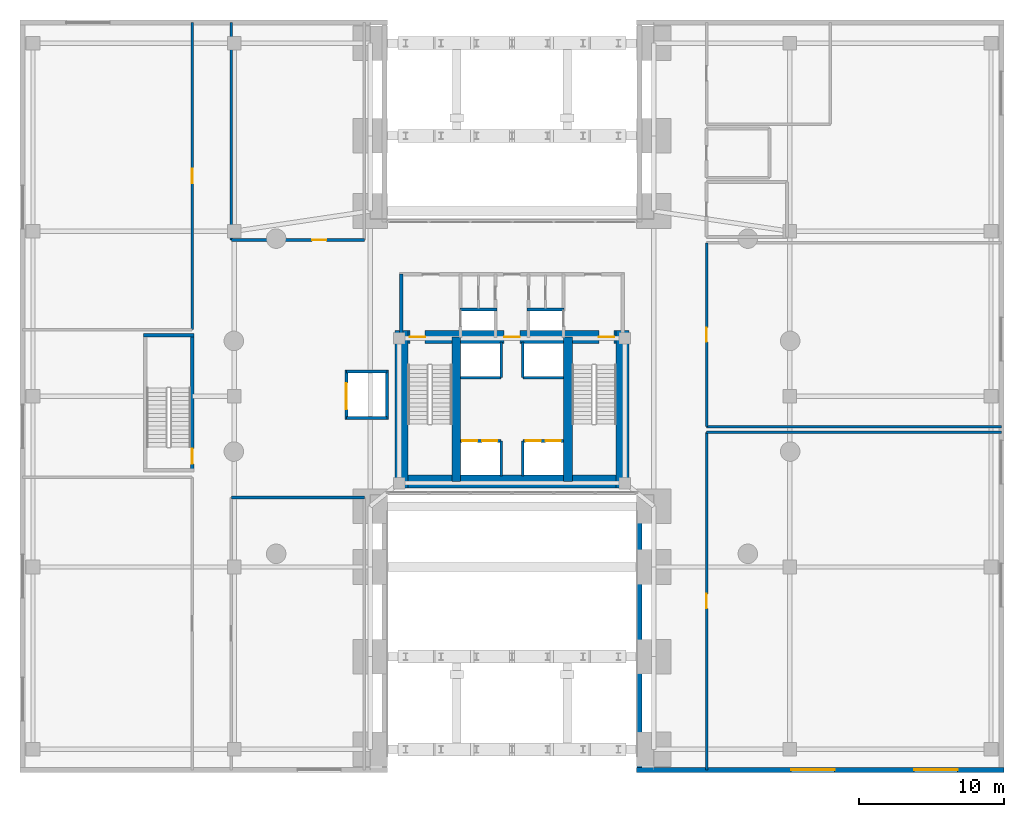
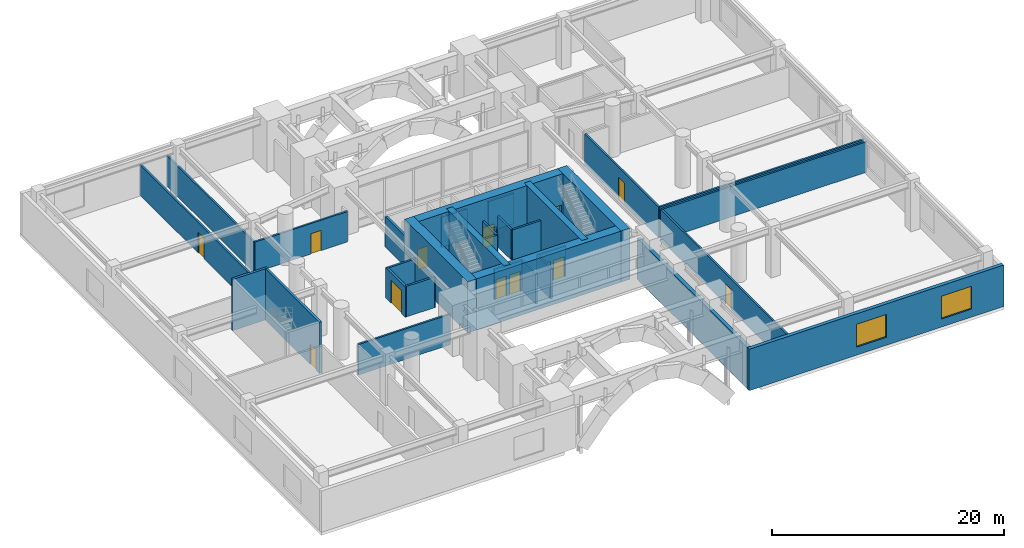
# One storey, part 14 of 18: 33 walls, 13 doors, 2 windows, 15 openings.
"""IFC4 building model written with IfcOpenShell, lengths in metres."""

import ifcopenshell
import ifcopenshell.guid

model = None  # the IFC model being written
_history = None  # IfcOwnerHistory: only IFC2X3 demands one
_inside = {}  # id of a spatial element -> (the spatial element, [elements in it])
_under = {}  # id of a project, library or spatial element -> (it, [spatial elements below it])
_declared = {}  # id of a project -> (the project, [libraries it declares])
_typed = {}  # id of a type object -> (the type object, [elements of that type])
_made_of = {}  # id of a material, layer set ... -> (it, [elements and type objects made of it])


def new_model(schema):
    """Start an empty IFC model of exactly this schema.

    Asked for "IFC4X3", IfcOpenShell would pick the latest addendum, in which some entities
    have other attributes; the version numbers below select the first issue.
    IFC2X3 requires an IfcOwnerHistory on every rooted entity: one is made here for all.
    """
    global model, _history
    if schema == "IFC4X3":
        model = ifcopenshell.file(schema_version=(4, 3, 0, 0))
    else:
        model = ifcopenshell.file(schema=schema)
    _inside.clear()
    _under.clear()
    _declared.clear()
    _typed.clear()
    _made_of.clear()
    _history = None
    if model.schema == "IFC2X3":
        org = make("IfcOrganization", Name="unknown")
        user = make(
            "IfcPersonAndOrganization",
            ThePerson=make("IfcPerson", FamilyName="unknown"),
            TheOrganization=org,
        )
        app = make(
            "IfcApplication",
            ApplicationDeveloper=org,
            Version="unknown",
            ApplicationFullName="unknown",
            ApplicationIdentifier="unknown",
        )
        _history = make(
            "IfcOwnerHistory",
            OwningUser=user,
            OwningApplication=app,
            ChangeAction="ADDED",
            CreationDate=0,
        )
    return model


def make(cls, **values):
    """One entity of the class cls with the attributes given. An attribute that is None is left unset."""
    return model.create_entity(
        cls, **{name: value for name, value in values.items() if value is not None}
    )


def rooted(cls, **values):
    """An entity with a GlobalId (a new one), such as an element, a storey or a relation."""
    return make(cls, GlobalId=ifcopenshell.guid.new(), OwnerHistory=_history, **values)


def si_unit(unit_type, name, prefix=None):
    """IfcSIUnit, for example si_unit("LENGTHUNIT", "METRE", prefix="MILLI")."""
    return make("IfcSIUnit", UnitType=unit_type, Prefix=prefix, Name=name)


def assignment(units):
    """IfcUnitAssignment: the units of a project."""
    return None if units is None else make("IfcUnitAssignment", Units=units)


def point(xyz):
    """IfcCartesianPoint."""
    return None if xyz is None else make("IfcCartesianPoint", Coordinates=xyz)


def direction(xyz):
    """IfcDirection."""
    return None if xyz is None else make("IfcDirection", DirectionRatios=xyz)


def frame(location, z_axis=None, x_axis=None):
    """IfcAxis2Placement3D, a coordinate frame: its origin and axes. An axis left out is left unset."""
    return make(
        "IfcAxis2Placement3D",
        Location=point(location),
        Axis=direction(z_axis),
        RefDirection=direction(x_axis),
    )


def frame_2d(location, x_axis=None):
    """IfcAxis2Placement2D, a coordinate frame in the plane: its origin and x axis."""
    return make(
        "IfcAxis2Placement2D", Location=point(location), RefDirection=direction(x_axis)
    )


def origin():
    """The frame at (0, 0, 0) with its axes left unset."""
    return frame((0.0, 0.0, 0.0))


def place(relative_to, where):
    """IfcLocalPlacement: puts the frame where relative to a parent placement (None: the world)."""
    return make(
        "IfcLocalPlacement", PlacementRelTo=relative_to, RelativePlacement=where
    )


def context(
    kind, dimensions, precision=None, world=None, true_north=None, identifier=None
):
    """IfcGeometricRepresentationContext, for example the 3D "Model" context."""
    return make(
        "IfcGeometricRepresentationContext",
        ContextIdentifier=identifier,
        ContextType=kind,
        CoordinateSpaceDimension=dimensions,
        Precision=precision,
        WorldCoordinateSystem=world,
        TrueNorth=true_north,
    )


def subcontext(parent, identifier, kind, view, scale=None):
    """IfcGeometricRepresentationSubContext, for example "Body" below "Model"."""
    return make(
        "IfcGeometricRepresentationSubContext",
        ContextIdentifier=identifier,
        ContextType=kind,
        ParentContext=parent,
        TargetScale=scale,
        TargetView=view,
    )


def project(units=None, contexts=None):
    """IfcProject with its units and contexts."""
    return rooted(
        "IfcProject",
        Name="project",
        RepresentationContexts=contexts,
        UnitsInContext=assignment(units),
    )


def spatial(cls, under=None, at=None, **own):
    """A site, building, storey or space (cls), placed at a placement, below another one or the project."""
    s = rooted(cls, ObjectPlacement=at, **own)
    if under is not None:
        _under.setdefault(under.id(), (under, []))[1].append(s)
    return s


def profile(cls, at=None, kind="AREA", **sizes):
    """A parametric profile (cls). Its sizes go by their IFC names, for example OverallWidth=200.0."""
    return make(cls, ProfileType=kind, Position=at, **sizes)


def rectangle(**sizes):
    """IfcRectangleProfileDef."""
    return profile("IfcRectangleProfileDef", **sizes)


def extrude(swept, where, along, depth):
    """IfcExtrudedAreaSolid: the profile swept, set in the frame where, extruded along a direction by depth."""
    return make(
        "IfcExtrudedAreaSolid",
        SweptArea=swept,
        Position=where,
        ExtrudedDirection=direction(along),
        Depth=depth,
    )


def shape(context_of_items, identifier, shape_type, items):
    """IfcShapeRepresentation: the items that make up one representation, for example the "Body"."""
    return make(
        "IfcShapeRepresentation",
        ContextOfItems=context_of_items,
        RepresentationIdentifier=identifier,
        RepresentationType=shape_type,
        Items=items,
    )


def material(Name=None, Category=None):
    """IfcMaterial."""
    return make("IfcMaterial", Name=Name, Category=Category)


def layer(
    of_material, thickness, ventilated=None, Name=None, Category=None, Priority=None
):
    """IfcMaterialLayer: one layer of a wall or slab, of a material (None: an air gap)."""
    return make(
        "IfcMaterialLayer",
        Material=of_material,
        LayerThickness=thickness,
        IsVentilated=ventilated,
        Name=Name,
        Category=Category,
        Priority=Priority,
    )


def layer_set(layers, Name=None):
    """IfcMaterialLayerSet."""
    return make("IfcMaterialLayerSet", MaterialLayers=layers, LayerSetName=Name)


def made_of(thing, what):
    """Note that an element or type object is made of a material, layer set ...; save() writes the relation."""
    if what is not None:
        _made_of.setdefault(what.id(), (what, []))[1].append(thing)
    return thing


def type_object(cls, material=None, **own):
    """A type object (cls), such as IfcWallType, which elements share."""
    return made_of(rooted(cls, **own), material)


def element(
    cls,
    number,
    at=None,
    inside=None,
    cuts=None,
    type_object=None,
    material=None,
    context=None,
    identifier="Body",
    shape_type=None,
    held_by="IfcProductDefinitionShape",
    body=None,
    shapes=None,
    **own,
):
    """One element of the class cls, such as IfcWall. Its Tag is "e" and its number.

    at: its placement. inside: the storey or other place that contains it. cuts: it is an
    opening in that element (IfcRelVoidsElement). A single representation is given by context,
    identifier, shape_type and body (its items); several are given by shapes. held_by: the class
    of the entity that holds the representations. save() writes the other relations.
    """
    e = rooted(cls, Tag="e%d" % number, ObjectPlacement=at, **own)
    if body is not None:
        shapes = [shape(context, identifier, shape_type, body)]
    if shapes is not None:
        e.Representation = make(held_by, Representations=shapes)
    if inside is not None:
        _inside.setdefault(inside.id(), (inside, []))[1].append(e)
    if cuts is not None:
        rooted(
            "IfcRelVoidsElement", RelatingBuildingElement=cuts, RelatedOpeningElement=e
        )
    if type_object is not None:
        _typed.setdefault(type_object.id(), (type_object, []))[1].append(e)
    return made_of(e, material)


def fill(opening, filler):
    """IfcRelFillsElement: the door or window that sits in an opening."""
    return rooted(
        "IfcRelFillsElement",
        RelatingOpeningElement=opening,
        RelatedBuildingElement=filler,
    )


def aggregate(whole, parts):
    """IfcRelAggregates: a whole, such as a stair, and the parts it consists of."""
    return rooted("IfcRelAggregates", RelatingObject=whole, RelatedObjects=parts)


def save(model, path):
    """Write the relations noted so far, then the file.

    IfcRelAggregates (storeys below a building ...), IfcRelContainedInSpatialStructure (elements
    in a storey), IfcRelDefinesByType, IfcRelAssociatesMaterial and IfcRelDeclares: one each for
    every whole, place, type object, material and project.
    """
    for whole, parts in _under.values():
        aggregate(whole, parts)
    for where, things in _inside.values():
        rooted(
            "IfcRelContainedInSpatialStructure",
            RelatedElements=things,
            RelatingStructure=where,
        )
    for kind, things in _typed.values():
        rooted("IfcRelDefinesByType", RelatedObjects=things, RelatingType=kind)
    for what, things in _made_of.values():
        rooted("IfcRelAssociatesMaterial", RelatedObjects=things, RelatingMaterial=what)
    for by, libraries in _declared.values():
        rooted("IfcRelDeclares", RelatingContext=by, RelatedDefinitions=libraries)
    model.write(path)


model = new_model("IFC4")

# Units and contexts
model_context = context("Model", 3, precision=1e-05, world=origin(), true_north=direction((0.0, 1.0)))
body_context = subcontext(model_context, "Body", "Model", "MODEL_VIEW")
ifc_project = project(units=[si_unit("LENGTHUNIT", "METRE"), si_unit("AREAUNIT", "SQUARE_METRE"), si_unit("VOLUMEUNIT", "CUBIC_METRE"), si_unit("PLANEANGLEUNIT", "RADIAN"), si_unit("MASSUNIT", "GRAM", prefix="KILO"), si_unit("THERMODYNAMICTEMPERATUREUNIT", "KELVIN"), si_unit("POWERUNIT", "WATT")], contexts=[model_context])

# Site, building, storey
site_placement = place(None, origin())
site = spatial("IfcSite", under=ifc_project, at=site_placement, CompositionType="ELEMENT")
building_placement = place(site_placement, origin())
building = spatial("IfcBuilding", under=site, at=building_placement, Name="Ocrelia Relay Tower", CompositionType="ELEMENT")
storey_placement = place(building_placement, frame((0.0, 0.0, 10.199951171875)))
storey = spatial("IfcBuildingStorey", under=building, at=storey_placement, Name="L02", CompositionType="ELEMENT", Elevation=10.199951171875)

# Wall
ifc_material_1 = material(Name="Concrete C70/85", Category="concrete")
ifc_layer_1 = layer(ifc_material_1, 0.89990234375, Name="Concrete C70/85")
ifc_layer_set_1 = layer_set([ifc_layer_1], Name="Concrete C70/85")
wall_type_1 = type_object("IfcWallType", Name="CW-CORE-900", PredefinedType="SHEAR", material=ifc_layer_set_1)
wall_1_placement = place(storey_placement, frame((25.922119140625, 20.112060546875, 0.0), z_axis=(0.0, 0.0, 1.0), x_axis=(1.0, 0.0, 0.0)))
element("IfcWall", 1, at=wall_1_placement, inside=storey, type_object=wall_type_1, Name="L02 Core Shear Wall S", PredefinedType="SHEAR", context=body_context, shape_type="SweptSolid", body=[
    extrude(rectangle(XDim=16.165771484375, YDim=0.89990234375, at=frame_2d((8.0830078125, 0.0))), origin(), (0.0, 0.0, 1.0), 5.400146484375),
])

# Wall, openings, doors
wall_2_placement = place(storey_placement, frame((25.922119140625, 30.087890625, 0.0), z_axis=(0.0, 0.0, 1.0), x_axis=(1.0, 0.0, 0.0)))
wall_2 = element("IfcWall", 2, at=wall_2_placement, inside=storey, type_object=wall_type_1, Name="L02 Core Shear Wall N", PredefinedType="SHEAR", context=body_context, shape_type="SweptSolid", body=[
    extrude(rectangle(XDim=16.165771484375, YDim=0.89990234375, at=frame_2d((8.0830078125, 0.0))), origin(), (0.0, 0.0, 1.0), 5.400146484375),
])
opening_1_placement = place(wall_2_placement, frame((1.028076171875, 0.0, 0.0)))
opening_1 = element("IfcOpeningElement", 3, at=opening_1_placement, cuts=wall_2, Name="Opening D-FD90", PredefinedType="OPENING", context=body_context, shape_type="SweptSolid", body=[
    extrude(rectangle(XDim=1.050048828125, YDim=2.14990234375, at=frame_2d((0.52490234375, 1.074951171875))), frame((0.0, 0.4599609375, 0.0), z_axis=(0.0, -1.0, 0.0), x_axis=(1.0, 0.0, 0.0)), (0.0, 0.0, 1.0), 0.919921875),
])
opening_2_placement = place(wall_2_placement, frame((14.077880859375, 0.0, 0.0)))
opening_2 = element("IfcOpeningElement", 4, at=opening_2_placement, cuts=wall_2, Name="Opening D-FD90", PredefinedType="OPENING", context=body_context, shape_type="SweptSolid", body=[
    extrude(rectangle(XDim=1.050048828125, YDim=2.14990234375, at=frame_2d((0.52490234375, 1.074951171875))), frame((0.0, 0.4599609375, 0.0), z_axis=(0.0, -1.0, 0.0), x_axis=(1.0, 0.0, 0.0)), (0.0, 0.0, 1.0), 0.919921875),
])
opening_3_placement = place(wall_2_placement, frame((7.528076171875, 0.0, 0.0)))
opening_3 = element("IfcOpeningElement", 5, at=opening_3_placement, cuts=wall_2, Name="Opening D-FD60", PredefinedType="OPENING", context=body_context, shape_type="SweptSolid", body=[
    extrude(rectangle(XDim=1.10009765625, YDim=2.14990234375, at=frame_2d((0.550048828125, 1.074951171875))), frame((0.0, 0.4599609375, 0.0), z_axis=(0.0, -1.0, 0.0), x_axis=(1.0, 0.0, 0.0)), (0.0, 0.0, 1.0), 0.919921875),
])
ifc_material_2 = material(Name="Timber-core 60-min acoustic fire door", Category="wood")
door_type_1 = type_object("IfcDoorType", Name="DR-LOBBY-FD60-1100", OperationType="NOTDEFINED", PredefinedType="DOOR", material=ifc_material_2)
door_1_placement = place(opening_3_placement, origin())
door_1 = element("IfcDoor", 6, at=door_1_placement, inside=storey, type_object=door_type_1, Name="L02 Core Lift Lobby North Fire Door", OperationType="SINGLE_SWING_RIGHT", OverallHeight=2.14990234375, OverallWidth=1.10009765625, PredefinedType="DOOR", context=body_context, shape_type="SweptSolid", body=[
    extrude(rectangle(XDim=1.10009765625, YDim=2.14990234375, at=frame_2d((0.550048828125, 1.074951171875))), frame((0.0, 0.02490234375, 0.0), z_axis=(0.0, -1.0, 0.0), x_axis=(1.0, 0.0, 0.0)), (0.0, 0.0, 1.0), 0.050048828125),
])
fill(opening_3, door_1)
ifc_material_3 = material(Name="Steel S355 90-min fire door", Category="steel")
door_type_2 = type_object("IfcDoorType", Name="DR-STAIR-FD90-1050", OperationType="NOTDEFINED", PredefinedType="DOOR", material=ifc_material_3)
door_2_placement = place(opening_1_placement, origin())
door_2 = element("IfcDoor", 7, at=door_2_placement, inside=storey, type_object=door_type_2, Name="L02 Stair ST1 Fire Door", OperationType="SINGLE_SWING_RIGHT", OverallHeight=2.14990234375, OverallWidth=1.050048828125, PredefinedType="DOOR", context=body_context, shape_type="SweptSolid", body=[
    extrude(rectangle(XDim=1.050048828125, YDim=2.14990234375, at=frame_2d((0.52490234375, 1.074951171875))), frame((0.0, 0.02490234375, 0.0), z_axis=(0.0, -1.0, 0.0), x_axis=(1.0, 0.0, 0.0)), (0.0, 0.0, 1.0), 0.050048828125),
])
fill(opening_1, door_2)
door_3_placement = place(opening_2_placement, origin())
door_3 = element("IfcDoor", 8, at=door_3_placement, inside=storey, type_object=door_type_2, Name="L02 Stair ST2 Fire Door", OperationType="SINGLE_SWING_LEFT", OverallHeight=2.14990234375, OverallWidth=1.050048828125, PredefinedType="DOOR", context=body_context, shape_type="SweptSolid", body=[
    extrude(rectangle(XDim=1.050048828125, YDim=2.14990234375, at=frame_2d((0.52490234375, 1.074951171875))), frame((0.0, 0.02490234375, 0.0), z_axis=(0.0, -1.0, 0.0), x_axis=(1.0, 0.0, 0.0)), (0.0, 0.0, 1.0), 0.050048828125),
])
fill(opening_2, door_3)

# Walls
for number, where, z_axis, x_axis, name in (
    (9, (26.3720703125, 19.662109375, 0.0), (0.0, 0.0, 1.0), (0.0, 1.0, 0.0), "L02 Core Shear Wall W"),
    (10, (41.637939453125, 19.662109375, 0.0), (0.0, 0.0, 1.0), (0.0, 1.0, 0.0), "L02 Core Shear Wall E"),
):
    element("IfcWall", number, at=place(storey_placement, frame(where, z_axis=z_axis, x_axis=x_axis)), inside=storey, type_object=wall_type_1, Name=name, PredefinedType="SHEAR", context=body_context, shape_type="SweptSolid", body=[
        extrude(rectangle(XDim=10.8759765625, YDim=0.89990234375, at=frame_2d((5.43798828125, 0.0))), origin(), (0.0, 0.0, 1.0), 5.400146484375),
    ])
for number, where, z_axis, x_axis, name in (
    (11, (30.137939453125, 20.112060546875, 0.0), (0.0, 0.0, 1.0), (0.0, 1.0, 0.0), "L02 Core Shear Wall SPW"),
    (12, (37.8720703125, 20.112060546875, 0.0), (0.0, 0.0, 1.0), (0.0, 1.0, 0.0), "L02 Core Shear Wall SPE"),
):
    element("IfcWall", number, at=place(storey_placement, frame(where, z_axis=z_axis, x_axis=x_axis)), inside=storey, type_object=wall_type_1, Name=name, PredefinedType="SHEAR", context=body_context, shape_type="SweptSolid", body=[
        extrude(rectangle(XDim=9.975830078125, YDim=0.60009765625, at=frame_2d((4.98779296875, 0.0))), origin(), (0.0, 0.0, 1.0), 5.400146484375),
    ])
ifc_material_4 = material(Name="Concrete C50/60", Category="concrete")
ifc_layer_2 = layer(ifc_material_4, 0.239990234375, Name="Concrete C50/60")
ifc_layer_set_2 = layer_set([ifc_layer_2], Name="Concrete C50/60")
wall_type_2 = type_object("IfcWallType", Name="CW-STAIR-240", PredefinedType="SHEAR", material=ifc_layer_set_2)
wall_3_placement = place(storey_placement, frame((8.531982421875, 30.2080078125, 0.0), z_axis=(0.0, 0.0, 1.0), x_axis=(1.0, 0.0, 0.0)))
element("IfcWall", 13, at=wall_3_placement, inside=storey, type_object=wall_type_2, Name="L02 Stair ST3 Structural Shaft N Wall", PredefinedType="SHEAR", context=body_context, shape_type="SweptSolid", body=[
    extrude(rectangle(XDim=3.49609375, YDim=0.239990234375, at=frame_2d((1.748046875, 0.0))), origin(), (0.0, 0.0, 1.0), 5.400146484375),
])

# Wall, opening, door
wall_4_placement = place(storey_placement, frame((11.907958984375, 20.77197265625, 0.0), z_axis=(0.0, 0.0, 1.0), x_axis=(0.0, 1.0, 0.0)))
wall_4 = element("IfcWall", 14, at=wall_4_placement, inside=storey, type_object=wall_type_2, Name="L02 Stair ST3 Structural Shaft E Wall", PredefinedType="SHEAR", context=body_context, shape_type="SweptSolid", body=[
    extrude(rectangle(XDim=9.555908203125, YDim=0.239990234375, at=frame_2d((4.77783203125, 0.0))), origin(), (0.0, 0.0, 1.0), 5.400146484375),
])
opening_4_placement = place(wall_4_placement, frame((0.550048828125, 0.0, 0.0)))
opening_4 = element("IfcOpeningElement", 15, at=opening_4_placement, cuts=wall_4, Name="Opening D-FD90", PredefinedType="OPENING", context=body_context, shape_type="SweptSolid", body=[
    extrude(rectangle(XDim=1.050048828125, YDim=2.14990234375, at=frame_2d((0.52490234375, 1.074951171875))), frame((0.0, 0.1298828125, 0.0), z_axis=(0.0, -1.0, 0.0), x_axis=(1.0, 0.0, 0.0)), (0.0, 0.0, 1.0), 0.260009765625),
])
door_4_placement = place(opening_4_placement, origin())
door_4 = element("IfcDoor", 16, at=door_4_placement, inside=storey, type_object=door_type_2, Name="L02 Stair ST3 Fire Door", OperationType="SINGLE_SWING_RIGHT", OverallHeight=2.14990234375, OverallWidth=1.050048828125, PredefinedType="DOOR", context=body_context, shape_type="SweptSolid", body=[
    extrude(rectangle(XDim=1.050048828125, YDim=2.14990234375, at=frame_2d((0.52490234375, 1.074951171875))), frame((0.0, 0.02490234375, 0.0), z_axis=(0.0, -1.0, 0.0), x_axis=(1.0, 0.0, 0.0)), (0.0, 0.0, 1.0), 0.050048828125),
])
fill(opening_4, door_4)

ifc_material_5 = material(Name="Gypsum Fireboard Partition EI60", Category="gypsum")
ifc_layer_3 = layer(ifc_material_5, 0.179931640625, Name="Gypsum Fireboard Partition EI60")
ifc_layer_set_3 = layer_set([ifc_layer_3], Name="Gypsum Fireboard Partition EI60")
wall_type_3 = type_object("IfcWallType", Name="W-CORR-EI60-180", PredefinedType="PARTITIONING", material=ifc_layer_set_3)
wall_5_placement = place(storey_placement, frame((11.89990234375, 30.60009765625, 0.0), z_axis=(0.0, 0.0, 1.0), x_axis=(0.0, 1.0, 0.0)))
wall_5 = element("IfcWall", 17, at=wall_5_placement, inside=storey, type_object=wall_type_3, Name="L02 Hardware Staging Laboratory E Partition", PredefinedType="PARTITIONING", context=body_context, shape_type="SweptSolid", body=[
    extrude(rectangle(XDim=21.219970703125, YDim=0.179931640625, at=frame_2d((10.60986328125, 0.0))), origin(), (0.0, 0.0, 1.0), 3.2099609375),
])
opening_5_placement = place(wall_5_placement, frame((10.110107421875, 0.0, 0.0)))
opening_5 = element("IfcOpeningElement", 18, at=opening_5_placement, cuts=wall_5, Name="Opening D-RM100", PredefinedType="OPENING", context=body_context, shape_type="SweptSolid", body=[
    extrude(rectangle(XDim=1.0, YDim=2.14990234375, at=frame_2d((0.5, 1.074951171875))), frame((0.0, 0.10009765625, 0.0), z_axis=(0.0, -1.0, 0.0), x_axis=(1.0, 0.0, 0.0)), (0.0, 0.0, 1.0), 0.199951171875),
])
ifc_material_6 = material(Name="Acoustic oak veneer fire door", Category="wood")
door_type_3 = type_object("IfcDoorType", Name="DR-ROOM-FD60-1000", OperationType="NOTDEFINED", PredefinedType="DOOR", material=ifc_material_6)
door_5_placement = place(opening_5_placement, origin())
door_5 = element("IfcDoor", 19, at=door_5_placement, inside=storey, type_object=door_type_3, Name="L02 Hardware Staging Laboratory Door", OperationType="SINGLE_SWING_RIGHT", OverallHeight=2.14990234375, OverallWidth=1.0, PredefinedType="DOOR", context=body_context, shape_type="SweptSolid", body=[
    extrude(rectangle(XDim=1.0, YDim=2.14990234375, at=frame_2d((0.5, 1.074951171875))), frame((0.0, 0.02490234375, 0.0), z_axis=(0.0, -1.0, 0.0), x_axis=(1.0, 0.0, 0.0)), (0.0, 0.0, 1.0), 0.050048828125),
])
fill(opening_5, door_5)

# Wall
wall_6_placement = place(storey_placement, frame((23.800048828125, 19.0, 0.0), z_axis=(0.0, 0.0, 1.0), x_axis=(-1.0, 0.0, 0.0)))
element("IfcWall", 20, at=wall_6_placement, inside=storey, type_object=wall_type_3, Name="L02 West Carrier Operations Office N Partition", PredefinedType="PARTITIONING", context=body_context, shape_type="SweptSolid", body=[
    extrude(rectangle(XDim=9.199951171875, YDim=0.179931640625, at=frame_2d((4.60009765625, 0.0))), origin(), (0.0, 0.0, 1.0), 3.2099609375),
])

# Wall, opening, door
wall_7_placement = place(storey_placement, frame((14.60009765625, 36.800048828125, 0.0), z_axis=(0.0, 0.0, 1.0), x_axis=(1.0, 0.0, 0.0)))
wall_7 = element("IfcWall", 21, at=wall_7_placement, inside=storey, type_object=wall_type_3, Name="L02 North Telemetry Office S Partition", PredefinedType="PARTITIONING", context=body_context, shape_type="SweptSolid", body=[
    extrude(rectangle(XDim=9.199951171875, YDim=0.179931640625, at=frame_2d((4.60009765625, 0.0))), origin(), (0.0, 0.0, 1.0), 3.2099609375),
])
opening_6_placement = place(wall_7_placement, frame((5.580078125, 0.0, 0.0)))
opening_6 = element("IfcOpeningElement", 22, at=opening_6_placement, cuts=wall_7, Name="Opening D-RM100", PredefinedType="OPENING", context=body_context, shape_type="SweptSolid", body=[
    extrude(rectangle(XDim=1.0, YDim=2.14990234375, at=frame_2d((0.5, 1.074951171875))), frame((0.0, 0.10009765625, 0.0), z_axis=(0.0, -1.0, 0.0), x_axis=(1.0, 0.0, 0.0)), (0.0, 0.0, 1.0), 0.199951171875),
])
door_6_placement = place(opening_6_placement, origin())
door_6 = element("IfcDoor", 23, at=door_6_placement, inside=storey, type_object=door_type_3, Name="L02 North Telemetry Office Door", OperationType="SINGLE_SWING_RIGHT", OverallHeight=2.14990234375, OverallWidth=1.0, PredefinedType="DOOR", context=body_context, shape_type="SweptSolid", body=[
    extrude(rectangle(XDim=1.0, YDim=2.14990234375, at=frame_2d((0.5, 1.074951171875))), frame((0.0, 0.02490234375, 0.0), z_axis=(0.0, -1.0, 0.0), x_axis=(1.0, 0.0, 0.0)), (0.0, 0.0, 1.0), 0.050048828125),
])
fill(opening_6, door_6)

# Wall
wall_8_placement = place(storey_placement, frame((14.60009765625, 51.820068359375, 0.0), z_axis=(0.0, 0.0, 1.0), x_axis=(0.0, -1.0, 0.0)))
element("IfcWall", 24, at=wall_8_placement, inside=storey, type_object=wall_type_3, Name="L02 North Telemetry Office W Partition", PredefinedType="PARTITIONING", context=body_context, shape_type="SweptSolid", body=[
    extrude(rectangle(XDim=15.02001953125, YDim=0.179931640625, at=frame_2d((7.510009765625, 0.0))), origin(), (0.0, 0.0, 1.0), 3.2099609375),
])

# Wall, opening, door
wall_9_placement = place(storey_placement, frame((47.449951171875, 23.5, 0.0), z_axis=(0.0, 0.0, 1.0), x_axis=(0.0, -1.0, 0.0)))
wall_9 = element("IfcWall", 25, at=wall_9_placement, inside=storey, type_object=wall_type_3, Name="L02 Global Peering Control Office W Partition", PredefinedType="PARTITIONING", context=body_context, shape_type="SweptSolid", body=[
    extrude(rectangle(XDim=23.320068359375, YDim=0.179931640625, at=frame_2d((11.66015625, 0.0))), origin(), (0.0, 0.0, 1.0), 3.2099609375),
])
opening_7_placement = place(wall_9_placement, frame((11.159912109375, 0.0, 0.0)))
opening_7 = element("IfcOpeningElement", 26, at=opening_7_placement, cuts=wall_9, Name="Opening D-RM100", PredefinedType="OPENING", context=body_context, shape_type="SweptSolid", body=[
    extrude(rectangle(XDim=1.0, YDim=2.14990234375, at=frame_2d((0.5, 1.074951171875))), frame((0.0, 0.10009765625, 0.0), z_axis=(0.0, -1.0, 0.0), x_axis=(1.0, 0.0, 0.0)), (0.0, 0.0, 1.0), 0.199951171875),
])
door_7_placement = place(opening_7_placement, origin())
door_7 = element("IfcDoor", 27, at=door_7_placement, inside=storey, type_object=door_type_3, Name="L02 Global Peering Control Office Door", OperationType="SINGLE_SWING_LEFT", OverallHeight=2.14990234375, OverallWidth=1.0, PredefinedType="DOOR", context=body_context, shape_type="SweptSolid", body=[
    extrude(rectangle(XDim=1.0, YDim=2.14990234375, at=frame_2d((0.5, 1.074951171875))), frame((0.0, 0.02490234375, 0.0), z_axis=(0.0, -1.0, 0.0), x_axis=(1.0, 0.0, 0.0)), (0.0, 0.0, 1.0), 0.050048828125),
])
fill(opening_7, door_7)

# Wall
wall_10_placement = place(storey_placement, frame((67.820068359375, 23.5, 0.0), z_axis=(0.0, 0.0, 1.0), x_axis=(-1.0, 0.0, 0.0)))
element("IfcWall", 28, at=wall_10_placement, inside=storey, type_object=wall_type_3, Name="L02 Global Peering Control Office N Partition", PredefinedType="PARTITIONING", context=body_context, shape_type="SweptSolid", body=[
    extrude(rectangle(XDim=20.3701171875, YDim=0.179931640625, at=frame_2d((10.18505859375, 0.0))), origin(), (0.0, 0.0, 1.0), 3.2099609375),
])

# Wall, opening, door
wall_11_placement = place(storey_placement, frame((47.449951171875, 36.60009765625, 0.0), z_axis=(0.0, 0.0, 1.0), x_axis=(0.0, -1.0, 0.0)))
wall_11 = element("IfcWall", 29, at=wall_11_placement, inside=storey, type_object=wall_type_3, Name="L02 Executive Briefing Room W Partition", PredefinedType="PARTITIONING", context=body_context, shape_type="SweptSolid", body=[
    extrude(rectangle(XDim=12.7001953125, YDim=0.179931640625, at=frame_2d((6.35009765625, 0.0))), origin(), (0.0, 0.0, 1.0), 3.2099609375),
])
opening_8_placement = place(wall_11_placement, frame((5.85009765625, 0.0, 0.0)))
opening_8 = element("IfcOpeningElement", 30, at=opening_8_placement, cuts=wall_11, Name="Opening D-RM100", PredefinedType="OPENING", context=body_context, shape_type="SweptSolid", body=[
    extrude(rectangle(XDim=1.0, YDim=2.14990234375, at=frame_2d((0.5, 1.074951171875))), frame((0.0, 0.10009765625, 0.0), z_axis=(0.0, -1.0, 0.0), x_axis=(1.0, 0.0, 0.0)), (0.0, 0.0, 1.0), 0.199951171875),
])
door_8_placement = place(opening_8_placement, origin())
door_8 = element("IfcDoor", 31, at=door_8_placement, inside=storey, type_object=door_type_3, Name="L02 Executive Briefing Room Door", OperationType="SINGLE_SWING_RIGHT", OverallHeight=2.14990234375, OverallWidth=1.0, PredefinedType="DOOR", context=body_context, shape_type="SweptSolid", body=[
    extrude(rectangle(XDim=1.0, YDim=2.14990234375, at=frame_2d((0.5, 1.074951171875))), frame((0.0, 0.02490234375, 0.0), z_axis=(0.0, -1.0, 0.0), x_axis=(1.0, 0.0, 0.0)), (0.0, 0.0, 1.0), 0.050048828125),
])
fill(opening_8, door_8)

# Wall
wall_12_placement = place(storey_placement, frame((47.449951171875, 23.89990234375, 0.0), z_axis=(0.0, 0.0, 1.0), x_axis=(1.0, 0.0, 0.0)))
element("IfcWall", 32, at=wall_12_placement, inside=storey, type_object=wall_type_3, Name="L02 Executive Briefing Room S Partition", PredefinedType="PARTITIONING", context=body_context, shape_type="SweptSolid", body=[
    extrude(rectangle(XDim=20.3701171875, YDim=0.179931640625, at=frame_2d((10.18505859375, 0.0))), origin(), (0.0, 0.0, 1.0), 3.2099609375),
])

# Wall, openings, windows
ifc_material_7 = material(Name="Precast concrete C40/50 with oxide terracotta", Category="masonry")
ifc_layer_4 = layer(ifc_material_7, 0.35009765625, Name="Precast concrete C40/50 with oxide terracotta")
ifc_layer_set_4 = layer_set([ifc_layer_4], Name="Precast concrete C40/50 with oxide terracotta")
wall_type_4 = type_object("IfcWallType", Name="W-EXT-POD-350", PredefinedType="SOLIDWALL", material=ifc_layer_set_4)
wall_13_placement = place(storey_placement, frame((67.989990234375, 0.179931640625, 0.0), z_axis=(0.0, 0.0, 1.0), x_axis=(-1.0, 0.0, 0.0)))
wall_13 = element("IfcWall", 33, at=wall_13_placement, inside=storey, type_object=wall_type_4, Name="L02 Oxide Terracotta Podium Wall ES", PredefinedType="SOLIDWALL", context=body_context, shape_type="SweptSolid", body=[
    extrude(rectangle(XDim=25.369873046875, YDim=0.35009765625, at=frame_2d((12.68505859375, 0.0))), origin(), (0.0, 0.0, 1.0), 4.360107421875),
])
opening_9_placement = place(wall_13_placement, frame((3.199951171875, 0.0, 0.85009765625)))
opening_9 = element("IfcOpeningElement", 34, at=opening_9_placement, cuts=wall_13, Name="Opening W-05", PredefinedType="OPENING", context=body_context, shape_type="SweptSolid", body=[
    extrude(rectangle(XDim=3.0, YDim=2.39990234375, at=frame_2d((1.5, 1.199951171875))), frame((0.0, 0.18505859375, 0.0), z_axis=(0.0, -1.0, 0.0), x_axis=(1.0, 0.0, 0.0)), (0.0, 0.0, 1.0), 0.3701171875),
])
opening_10_placement = place(wall_13_placement, frame((11.699951171875, 0.0, 0.85009765625)))
opening_10 = element("IfcOpeningElement", 35, at=opening_10_placement, cuts=wall_13, Name="Opening W-05", PredefinedType="OPENING", context=body_context, shape_type="SweptSolid", body=[
    extrude(rectangle(XDim=3.0, YDim=2.39990234375, at=frame_2d((1.5, 1.199951171875))), frame((0.0, 0.18505859375, 0.0), z_axis=(0.0, -1.0, 0.0), x_axis=(1.0, 0.0, 0.0)), (0.0, 0.0, 1.0), 0.3701171875),
])
ifc_material_8 = material(Name="Clear double-glazed low-E glass", Category="glass")
window_type = type_object("IfcWindowType", Name="WIN-POD-3000x2600", PartitioningType="DOUBLE_PANEL_VERTICAL", PredefinedType="WINDOW", material=ifc_material_8)
window_1_placement = place(opening_9_placement, origin())
window_1 = element("IfcWindow", 36, at=window_1_placement, inside=storey, type_object=window_type, Name="L02 Podium Punched Window ES-1", OverallHeight=2.39990234375, OverallWidth=3.0, PartitioningType="SINGLE_PANEL", PredefinedType="WINDOW", context=body_context, shape_type="SweptSolid", body=[
    extrude(rectangle(XDim=3.0, YDim=2.39990234375, at=frame_2d((1.5, 1.199951171875))), frame((0.0, 0.030029296875, 0.0), z_axis=(0.0, -1.0, 0.0), x_axis=(1.0, 0.0, 0.0)), (0.0, 0.0, 1.0), 0.06005859375),
])
fill(opening_9, window_1)
window_2_placement = place(opening_10_placement, origin())
window_2 = element("IfcWindow", 37, at=window_2_placement, inside=storey, type_object=window_type, Name="L02 Podium Punched Window ES-2", OverallHeight=2.39990234375, OverallWidth=3.0, PartitioningType="SINGLE_PANEL", PredefinedType="WINDOW", context=body_context, shape_type="SweptSolid", body=[
    extrude(rectangle(XDim=3.0, YDim=2.39990234375, at=frame_2d((1.5, 1.199951171875))), frame((0.0, 0.030029296875, 0.0), z_axis=(0.0, -1.0, 0.0), x_axis=(1.0, 0.0, 0.0)), (0.0, 0.0, 1.0), 0.06005859375),
])
fill(opening_10, window_2)

# Walls
wall_14_placement = place(storey_placement, frame((42.800048828125, 0.360107421875, 0.0), z_axis=(0.0, 0.0, 1.0), x_axis=(0.0, 1.0, 0.0)))
element("IfcWall", 38, at=wall_14_placement, inside=storey, type_object=wall_type_4, Name="L02 Oxide Terracotta Podium Wall AES", PredefinedType="SOLIDWALL", context=body_context, shape_type="SweptSolid", body=[
    extrude(rectangle(XDim=18.989990234375, YDim=0.35009765625, at=frame_2d((9.4951171875, 0.0))), origin(), (0.0, 0.0, 1.0), 4.360107421875),
])
ifc_layer_5 = layer(ifc_material_4, 0.219970703125, Name="Concrete C50/60")
ifc_layer_set_5 = layer_set([ifc_layer_5], Name="Concrete C50/60")
wall_type_5 = type_object("IfcWallType", Name="W-FFL-EI120-220", PredefinedType="SOLIDWALL", material=ifc_layer_set_5)
wall_15_placement = place(storey_placement, frame((26.35009765625, 30.050048828125, 0.0), z_axis=(0.0, 0.0, 1.0), x_axis=(0.0, 1.0, 0.0)))
element("IfcWall", 39, at=wall_15_placement, inside=storey, type_object=wall_type_5, Name="L02 W Fire Service Lift Lobby West Wall", PredefinedType="SOLIDWALL", context=body_context, shape_type="SweptSolid", body=[
    extrude(rectangle(XDim=4.3798828125, YDim=0.219970703125, at=frame_2d((2.18994140625, 0.0))), origin(), (0.0, 0.0, 1.0), 3.2099609375),
])
ifc_layer_6 = layer(ifc_material_4, 0.199951171875, Name="Concrete C50/60")
ifc_layer_set_6 = layer_set([ifc_layer_6], Name="Concrete C50/60")
wall_type_6 = type_object("IfcWallType", Name="W-SHAFT-EI120-200", PredefinedType="SOLIDWALL", material=ifc_layer_set_6)
for number, where, z_axis, x_axis, name in (
    (40, (30.39990234375, 32.0, 0.0), (0.0, 0.0, 1.0), (1.0, 0.0, 0.0), "L02 FFL1 Hoistway North Wall"),
    (41, (35.050048828125, 32.0, 0.0), (0.0, 0.0, 1.0), (1.0, 0.0, 0.0), "L02 FFL2 Hoistway North Wall"),
):
    element("IfcWall", number, at=place(storey_placement, frame(where, z_axis=z_axis, x_axis=x_axis)), inside=storey, type_object=wall_type_6, Name=name, PredefinedType="SOLIDWALL", context=body_context, shape_type="SweptSolid", body=[
        extrude(rectangle(XDim=2.550048828125, YDim=0.199951171875, at=frame_2d((1.27490234375, 0.0))), origin(), (0.0, 0.0, 1.0), 3.2099609375),
    ])

# Wall, openings, doors
wall_16_placement = place(storey_placement, frame((30.43994140625, 22.919921875, 0.0), z_axis=(0.0, 0.0, 1.0), x_axis=(1.0, 0.0, 0.0)))
wall_16 = element("IfcWall", 42, at=wall_16_placement, inside=storey, type_object=wall_type_6, Name="L02 Low-Rise Lift Hoistway Wall W", PredefinedType="SOLIDWALL", context=body_context, shape_type="SweptSolid", body=[
    extrude(rectangle(XDim=2.81005859375, YDim=0.199951171875, at=frame_2d((1.405029296875, 0.0))), origin(), (0.0, 0.0, 1.0), 3.2099609375),
])
opening_11_placement = place(wall_16_placement, frame((0.1201171875, 0.0, 0.0)))
opening_11 = element("IfcOpeningElement", 43, at=opening_11_placement, cuts=wall_16, Name="Opening LD-PL1", PredefinedType="OPENING", context=body_context, shape_type="SweptSolid", body=[
    extrude(rectangle(XDim=1.050048828125, YDim=2.10009765625, at=frame_2d((0.52490234375, 1.050048828125))), frame((0.0, 0.10986328125, 0.0), z_axis=(0.0, -1.0, 0.0), x_axis=(1.0, 0.0, 0.0)), (0.0, 0.0, 1.0), 0.219970703125),
])
opening_12_placement = place(wall_16_placement, frame((1.5, 0.0, 0.0)))
opening_12 = element("IfcOpeningElement", 44, at=opening_12_placement, cuts=wall_16, Name="Opening LD-PL2", PredefinedType="OPENING", context=body_context, shape_type="SweptSolid", body=[
    extrude(rectangle(XDim=1.050048828125, YDim=2.10009765625, at=frame_2d((0.52490234375, 1.050048828125))), frame((0.0, 0.10986328125, 0.0), z_axis=(0.0, -1.0, 0.0), x_axis=(1.0, 0.0, 0.0)), (0.0, 0.0, 1.0), 0.219970703125),
])
ifc_material_9 = material(Name="Brushed stainless steel S355 lift landing door", Category="steel")
door_type_4 = type_object("IfcDoorType", Name="DR-LIFT-LAND-1050", OperationType="DOUBLE_DOOR_SLIDING", PredefinedType="USERDEFINED", material=ifc_material_9)
door_9_placement = place(opening_11_placement, origin())
door_9 = element("IfcDoor", 45, at=door_9_placement, inside=storey, type_object=door_type_4, Name="L02 Passenger Lift PL1 Sliding Landing Door", ObjectType="LANDING DOOR", OperationType="DOUBLE_DOOR_SLIDING", OverallHeight=2.10009765625, OverallWidth=1.050048828125, PredefinedType="USERDEFINED", context=body_context, shape_type="SweptSolid", body=[
    extrude(rectangle(XDim=1.050048828125, YDim=2.10009765625, at=frame_2d((0.52490234375, 1.050048828125))), frame((0.0, 0.02490234375, 0.0), z_axis=(0.0, -1.0, 0.0), x_axis=(1.0, 0.0, 0.0)), (0.0, 0.0, 1.0), 0.050048828125),
])
fill(opening_11, door_9)
door_10_placement = place(opening_12_placement, origin())
door_10 = element("IfcDoor", 46, at=door_10_placement, inside=storey, type_object=door_type_4, Name="L02 Passenger Lift PL2 Sliding Landing Door", ObjectType="LANDING DOOR", OperationType="DOUBLE_DOOR_SLIDING", OverallHeight=2.10009765625, OverallWidth=1.050048828125, PredefinedType="USERDEFINED", context=body_context, shape_type="SweptSolid", body=[
    extrude(rectangle(XDim=1.050048828125, YDim=2.10009765625, at=frame_2d((0.52490234375, 1.050048828125))), frame((0.0, 0.02490234375, 0.0), z_axis=(0.0, -1.0, 0.0), x_axis=(1.0, 0.0, 0.0)), (0.0, 0.0, 1.0), 0.050048828125),
])
fill(opening_12, door_10)

# Wall
wall_17_placement = place(storey_placement, frame((33.25, 20.5, 0.0), z_axis=(0.0, 0.0, 1.0), x_axis=(0.0, 1.0, 0.0)))
element("IfcWall", 47, at=wall_17_placement, inside=storey, type_object=wall_type_6, Name="L02 Low-Rise Lift Throat Wall W", PredefinedType="SOLIDWALL", context=body_context, shape_type="SweptSolid", body=[
    extrude(rectangle(XDim=2.419921875, YDim=0.179931640625, at=frame_2d((1.2099609375, 0.0))), origin(), (0.0, 0.0, 1.0), 3.2099609375),
])

# Wall, openings, doors
wall_18_placement = place(storey_placement, frame((34.75, 22.919921875, 0.0), z_axis=(0.0, 0.0, 1.0), x_axis=(1.0, 0.0, 0.0)))
wall_18 = element("IfcWall", 48, at=wall_18_placement, inside=storey, type_object=wall_type_6, Name="L02 Low-Rise Lift Hoistway Wall E", PredefinedType="SOLIDWALL", context=body_context, shape_type="SweptSolid", body=[
    extrude(rectangle(XDim=2.81005859375, YDim=0.199951171875, at=frame_2d((1.405029296875, 0.0))), origin(), (0.0, 0.0, 1.0), 3.2099609375),
])
opening_13_placement = place(wall_18_placement, frame((0.18994140625, 0.0, 0.0)))
opening_13 = element("IfcOpeningElement", 49, at=opening_13_placement, cuts=wall_18, Name="Opening LD-PL3", PredefinedType="OPENING", context=body_context, shape_type="SweptSolid", body=[
    extrude(rectangle(XDim=1.050048828125, YDim=2.10009765625, at=frame_2d((0.52490234375, 1.050048828125))), frame((0.0, 0.10986328125, 0.0), z_axis=(0.0, -1.0, 0.0), x_axis=(1.0, 0.0, 0.0)), (0.0, 0.0, 1.0), 0.219970703125),
])
opening_14_placement = place(wall_18_placement, frame((1.570068359375, 0.0, 0.0)))
opening_14 = element("IfcOpeningElement", 50, at=opening_14_placement, cuts=wall_18, Name="Opening LD-PL4", PredefinedType="OPENING", context=body_context, shape_type="SweptSolid", body=[
    extrude(rectangle(XDim=1.050048828125, YDim=2.10009765625, at=frame_2d((0.52490234375, 1.050048828125))), frame((0.0, 0.10986328125, 0.0), z_axis=(0.0, -1.0, 0.0), x_axis=(1.0, 0.0, 0.0)), (0.0, 0.0, 1.0), 0.219970703125),
])
door_11_placement = place(opening_13_placement, origin())
door_11 = element("IfcDoor", 51, at=door_11_placement, inside=storey, type_object=door_type_4, Name="L02 Passenger Lift PL3 Sliding Landing Door", ObjectType="LANDING DOOR", OperationType="DOUBLE_DOOR_SLIDING", OverallHeight=2.10009765625, OverallWidth=1.050048828125, PredefinedType="USERDEFINED", context=body_context, shape_type="SweptSolid", body=[
    extrude(rectangle(XDim=1.050048828125, YDim=2.10009765625, at=frame_2d((0.52490234375, 1.050048828125))), frame((0.0, 0.02490234375, 0.0), z_axis=(0.0, -1.0, 0.0), x_axis=(1.0, 0.0, 0.0)), (0.0, 0.0, 1.0), 0.050048828125),
])
fill(opening_13, door_11)
door_12_placement = place(opening_14_placement, origin())
door_12 = element("IfcDoor", 52, at=door_12_placement, inside=storey, type_object=door_type_4, Name="L02 Passenger Lift PL4 Sliding Landing Door", ObjectType="LANDING DOOR", OperationType="DOUBLE_DOOR_SLIDING", OverallHeight=2.10009765625, OverallWidth=1.050048828125, PredefinedType="USERDEFINED", context=body_context, shape_type="SweptSolid", body=[
    extrude(rectangle(XDim=1.050048828125, YDim=2.10009765625, at=frame_2d((0.52490234375, 1.050048828125))), frame((0.0, 0.02490234375, 0.0), z_axis=(0.0, -1.0, 0.0), x_axis=(1.0, 0.0, 0.0)), (0.0, 0.0, 1.0), 0.050048828125),
])
fill(opening_14, door_12)

# Walls
wall_19_placement = place(storey_placement, frame((34.75, 20.5, 0.0), z_axis=(0.0, 0.0, 1.0), x_axis=(0.0, 1.0, 0.0)))
element("IfcWall", 53, at=wall_19_placement, inside=storey, type_object=wall_type_6, Name="L02 Low-Rise Lift Throat Wall E", PredefinedType="SOLIDWALL", context=body_context, shape_type="SweptSolid", body=[
    extrude(rectangle(XDim=2.419921875, YDim=0.179931640625, at=frame_2d((1.2099609375, 0.0))), origin(), (0.0, 0.0, 1.0), 3.2099609375),
])
wall_20_placement = place(storey_placement, frame((30.43994140625, 27.280029296875, 0.0), z_axis=(0.0, 0.0, 1.0), x_axis=(1.0, 0.0, 0.0)))
element("IfcWall", 54, at=wall_20_placement, inside=storey, type_object=wall_type_6, Name="L02 High-Rise Lift Hoistway Wall W", PredefinedType="SOLIDWALL", context=body_context, shape_type="SweptSolid", body=[
    extrude(rectangle(XDim=2.81005859375, YDim=0.199951171875, at=frame_2d((1.405029296875, 0.0))), origin(), (0.0, 0.0, 1.0), 3.2099609375),
])
wall_21_placement = place(storey_placement, frame((33.25, 27.280029296875, 0.0), z_axis=(0.0, 0.0, 1.0), x_axis=(0.0, 1.0, 0.0)))
element("IfcWall", 55, at=wall_21_placement, inside=storey, type_object=wall_type_6, Name="L02 High-Rise Lift Throat Wall W", PredefinedType="SOLIDWALL", context=body_context, shape_type="SweptSolid", body=[
    extrude(rectangle(XDim=2.469970703125, YDim=0.179931640625, at=frame_2d((1.23486328125, 0.0))), origin(), (0.0, 0.0, 1.0), 3.2099609375),
])
wall_22_placement = place(storey_placement, frame((34.75, 27.280029296875, 0.0), z_axis=(0.0, 0.0, 1.0), x_axis=(1.0, 0.0, 0.0)))
element("IfcWall", 56, at=wall_22_placement, inside=storey, type_object=wall_type_6, Name="L02 High-Rise Lift Hoistway Wall E", PredefinedType="SOLIDWALL", context=body_context, shape_type="SweptSolid", body=[
    extrude(rectangle(XDim=2.81005859375, YDim=0.199951171875, at=frame_2d((1.405029296875, 0.0))), origin(), (0.0, 0.0, 1.0), 3.2099609375),
])
wall_23_placement = place(storey_placement, frame((34.75, 27.280029296875, 0.0), z_axis=(0.0, 0.0, 1.0), x_axis=(0.0, 1.0, 0.0)))
element("IfcWall", 57, at=wall_23_placement, inside=storey, type_object=wall_type_6, Name="L02 High-Rise Lift Throat Wall E", PredefinedType="SOLIDWALL", context=body_context, shape_type="SweptSolid", body=[
    extrude(rectangle(XDim=2.469970703125, YDim=0.179931640625, at=frame_2d((1.23486328125, 0.0))), origin(), (0.0, 0.0, 1.0), 3.2099609375),
])

# Wall, opening, door
wall_24_placement = place(storey_placement, frame((22.550048828125, 24.39990234375, 0.0), z_axis=(0.0, 0.0, 1.0), x_axis=(0.0, 1.0, 0.0)))
wall_24 = element("IfcWall", 58, at=wall_24_placement, inside=storey, type_object=wall_type_6, Name="L02 Goods Lift Shaft West Wall", PredefinedType="SOLIDWALL", context=body_context, shape_type="SweptSolid", body=[
    extrude(rectangle(XDim=3.400146484375, YDim=0.199951171875, at=frame_2d((1.7001953125, 0.0))), origin(), (0.0, 0.0, 1.0), 3.2099609375),
])
opening_15_placement = place(wall_24_placement, frame((0.699951171875, 0.0, 0.0)))
opening_15 = element("IfcOpeningElement", 59, at=opening_15_placement, cuts=wall_24, Name="Opening LD-GL1", PredefinedType="OPENING", context=body_context, shape_type="SweptSolid", body=[
    extrude(rectangle(XDim=1.800048828125, YDim=2.39990234375, at=frame_2d((0.89990234375, 1.199951171875))), frame((0.0, 0.10986328125, 0.0), z_axis=(0.0, -1.0, 0.0), x_axis=(1.0, 0.0, 0.0)), (0.0, 0.0, 1.0), 0.219970703125),
])
ifc_material_10 = material(Name="Heavy-duty stainless steel S355 goods landing door", Category="steel")
door_type_5 = type_object("IfcDoorType", Name="DR-GOODS-LAND-1800", OperationType="DOUBLE_DOOR_SLIDING", PredefinedType="USERDEFINED", material=ifc_material_10)
door_13_placement = place(opening_15_placement, origin())
door_13 = element("IfcDoor", 60, at=door_13_placement, inside=storey, type_object=door_type_5, Name="L02 Goods Lift GL1 Sliding Landing Door", ObjectType="LANDING DOOR", OperationType="DOUBLE_DOOR_SLIDING", OverallHeight=2.39990234375, OverallWidth=1.800048828125, PredefinedType="USERDEFINED", context=body_context, shape_type="SweptSolid", body=[
    extrude(rectangle(XDim=1.800048828125, YDim=2.39990234375, at=frame_2d((0.89990234375, 1.199951171875))), frame((0.0, 0.02490234375, 0.0), z_axis=(0.0, -1.0, 0.0), x_axis=(1.0, 0.0, 0.0)), (0.0, 0.0, 1.0), 0.050048828125),
])
fill(opening_15, door_13)

# Walls
wall_25_placement = place(storey_placement, frame((25.35009765625, 24.39990234375, 0.0), z_axis=(0.0, 0.0, 1.0), x_axis=(0.0, 1.0, 0.0)))
element("IfcWall", 61, at=wall_25_placement, inside=storey, type_object=wall_type_6, Name="L02 Goods Lift Shaft E Wall", PredefinedType="SOLIDWALL", context=body_context, shape_type="SweptSolid", body=[
    extrude(rectangle(XDim=3.400146484375, YDim=0.199951171875, at=frame_2d((1.7001953125, 0.0))), origin(), (0.0, 0.0, 1.0), 3.2099609375),
])
for number, where, z_axis, x_axis, name in (
    (62, (22.550048828125, 24.5, 0.0), (0.0, 0.0, 1.0), (1.0, 0.0, 0.0), "L02 Goods Lift Shaft S Wall"),
    (63, (22.550048828125, 27.699951171875, 0.0), (0.0, 0.0, 1.0), (1.0, 0.0, 0.0), "L02 Goods Lift Shaft N Wall"),
):
    element("IfcWall", number, at=place(storey_placement, frame(where, z_axis=z_axis, x_axis=x_axis)), inside=storey, type_object=wall_type_6, Name=name, PredefinedType="SOLIDWALL", context=body_context, shape_type="SweptSolid", body=[
        extrude(rectangle(XDim=2.800048828125, YDim=0.199951171875, at=frame_2d((1.39990234375, 0.0))), origin(), (0.0, 0.0, 1.0), 3.2099609375),
    ])

save(model, "model.ifc")
